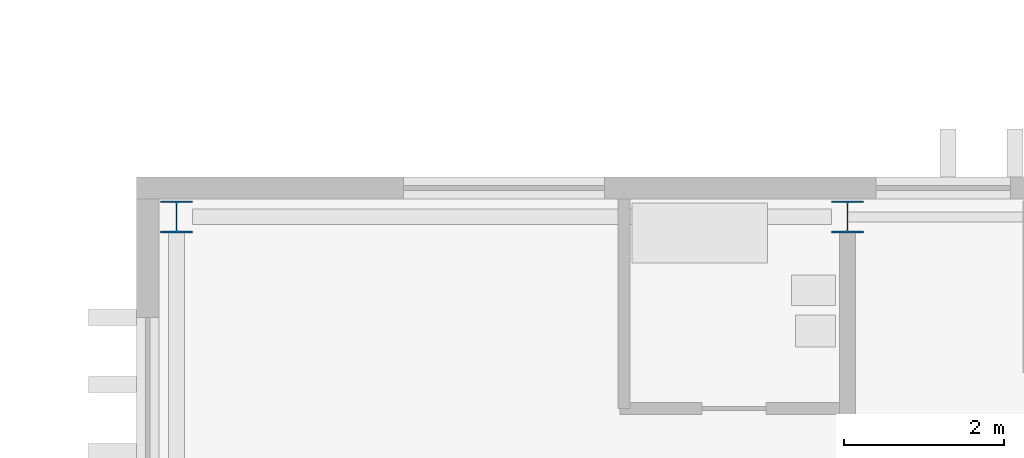
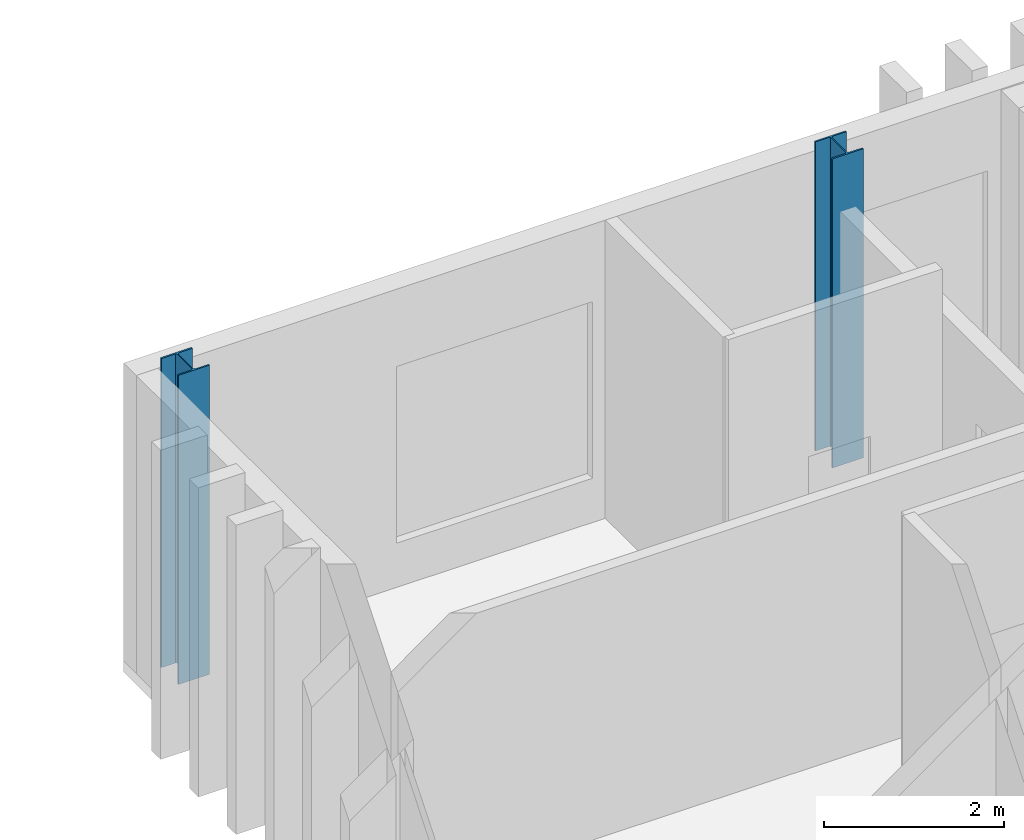
# One storey, part 6 of 20: 2 columns.
"""IFC4 building model written with IfcOpenShell, lengths in metres."""

from ifc_helpers import new_model, si_unit, direction, frame, origin, origin_2d, place, context, subcontext, project, spatial, i_section, extrude, material, material_profile, profile_set, type_object, element, save


model = new_model("IFC4")

# Units and contexts
model_context = context("Model", 3, precision=1e-05, world=origin(), true_north=direction((0.0, 1.0)))
body_context = subcontext(model_context, "Body", "Model", "MODEL_VIEW")
ifc_project = project(units=[si_unit("LENGTHUNIT", "METRE"), si_unit("AREAUNIT", "SQUARE_METRE"), si_unit("VOLUMEUNIT", "CUBIC_METRE"), si_unit("PLANEANGLEUNIT", "RADIAN"), si_unit("MASSUNIT", "GRAM", prefix="KILO")], contexts=[model_context])

# Site, building, storey
site_placement = place(None, origin())
site = spatial("IfcSite", under=ifc_project, at=site_placement, CompositionType="ELEMENT")
building_placement = place(site_placement, origin())
building = spatial("IfcBuilding", under=site, at=building_placement, Name="Cresset Court Congress Hotel", CompositionType="ELEMENT")
storey_placement = place(building_placement, frame((0.0, 0.0, 27.0)))
storey = spatial("IfcBuildingStorey", under=building, at=storey_placement, Name="L06", CompositionType="ELEMENT", Elevation=27.0)

# Columns
ifc_material = material(Name="Structural steel Q355B", Category="steel")
ifc_material_profile = material_profile(ifc_material, i_section(OverallWidth=0.39990234375, OverallDepth=0.39990234375, WebThickness=0.012939453125, FlangeThickness=0.02099609375, FilletRadius=0.02197265625, at=origin_2d()), Name="HW400x400x13x21")
ifc_profile_set = profile_set([ifc_material_profile], Name="Structural steel Q355B")
column_type = type_object("IfcColumnType", Name="Steel column HW400x400x13x21", PredefinedType="COLUMN", material=ifc_profile_set)
for number, where, z_axis, x_axis, name in (
    (1, (157.199951171875, 67.199951171875, 0.0), (0.0, 0.0, 1.0), (1.0, 0.0, 0.0), "Column L06 9-20"),
    (2, (165.60009765625, 67.199951171875, 0.0), (0.0, 0.0, 1.0), (1.0, 0.0, 0.0), "Column L06 9-21"),
):
    element("IfcColumn", number, at=place(storey_placement, frame(where, z_axis=z_axis, x_axis=x_axis)), inside=storey, type_object=column_type, Name=name, PredefinedType="COLUMN", context=body_context, shape_type="SweptSolid", body=[
        extrude(i_section(OverallWidth=0.39990234375, OverallDepth=0.39990234375, WebThickness=0.012939453125, FlangeThickness=0.02099609375, FilletRadius=0.02197265625, at=origin_2d()), origin(), (0.0, 0.0, 1.0), 4.199951171875),
    ])

save(model, "model.ifc")
